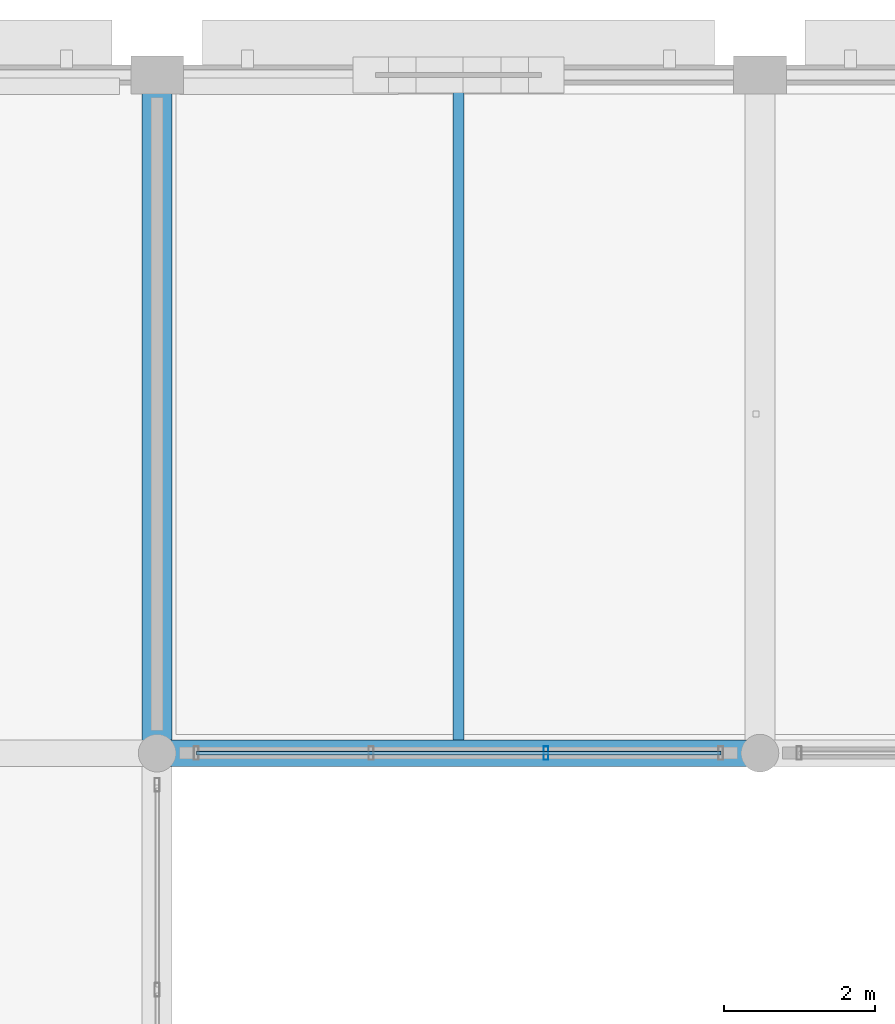
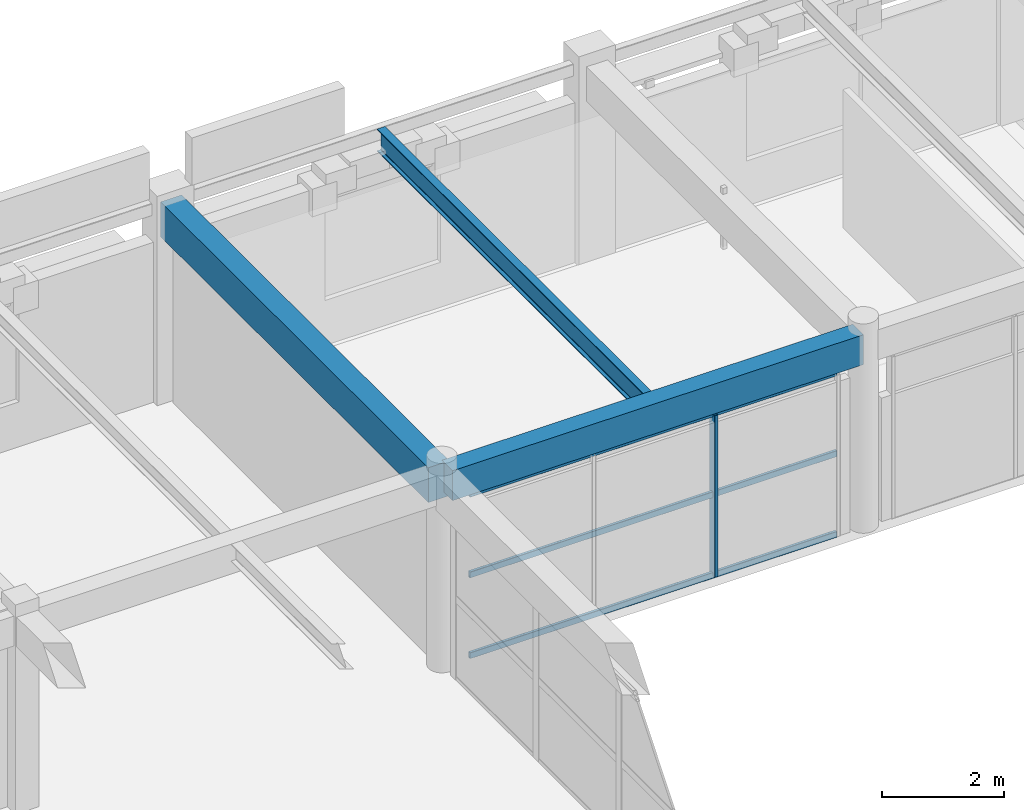
# One storey, part 55 of 126: 4 members, 3 beams, 1 element without a shape of its own.
"""IFC4 building model written with IfcOpenShell, lengths in metres."""

from ifc_helpers import new_model, si_unit, direction, frame, origin, origin_2d, place, context, subcontext, project, spatial, rectangle, hollow_rectangle, i_section, extrude, material, material_profile, profile_set, type_object, element, aggregate, save


model = new_model("IFC4")

# Units and contexts
model_context = context("Model", 3, precision=1e-05, world=origin(), true_north=direction((0.0, 1.0)))
body_context = subcontext(model_context, "Body", "Model", "MODEL_VIEW")
ifc_project = project(units=[si_unit("LENGTHUNIT", "METRE"), si_unit("AREAUNIT", "SQUARE_METRE"), si_unit("VOLUMEUNIT", "CUBIC_METRE"), si_unit("PLANEANGLEUNIT", "RADIAN"), si_unit("MASSUNIT", "GRAM", prefix="KILO")], contexts=[model_context])

# Site, building, storey
site_placement = place(None, origin())
site = spatial("IfcSite", under=ifc_project, at=site_placement, CompositionType="ELEMENT")
building_placement = place(site_placement, origin())
building = spatial("IfcBuilding", under=site, at=building_placement, Name="Varnabhumi Central Station", CompositionType="ELEMENT")
storey_placement = place(building_placement, frame((0.0, 0.0, 16.199951171875)))
storey = spatial("IfcBuildingStorey", under=building, at=storey_placement, Name="L03", CompositionType="ELEMENT", Elevation=16.199951171875)

# Beams
ifc_material_1 = material(Name="Structural steel E350", Category="steel")
ifc_material_profile_1 = material_profile(ifc_material_1, i_section(OverallWidth=0.14990234375, OverallDepth=0.449951171875, WebThickness=0.009521484375, FlangeThickness=0.017333984375, FilletRadius=0.014892578125, at=origin_2d()), Name="Structural steel E350", Category="steel")
ifc_profile_set_1 = profile_set([ifc_material_profile_1], Name="Structural steel E350")
beam_type_1 = type_object("IfcBeamType", Name="BM-JST-ISMB450", PredefinedType="JOIST", material=ifc_profile_set_1)
beam_1_placement = place(storey_placement, frame((52.0, 107.175048828125, 3.72509765625), z_axis=(0.0, 1.0, 0.0), x_axis=(-1.0, 0.0, 0.0)))
element("IfcBeam", 1, at=beam_1_placement, inside=storey, type_object=beam_type_1, Name="Secondary Joist L03-7/8:N-P", PredefinedType="JOIST", context=body_context, shape_type="SweptSolid", body=[
    extrude(i_section(OverallWidth=0.14990234375, OverallDepth=0.449951171875, WebThickness=0.009521484375, FlangeThickness=0.017333984375, FilletRadius=0.014892578125, at=origin_2d()), origin(), (0.0, 0.0, 1.0), 8.75),
])
ifc_material_2 = material(Name="Concrete M40", Category="concrete")
ifc_material_profile_2 = material_profile(ifc_material_2, rectangle(XDim=0.35009765625, YDim=0.60009765625, at=origin_2d()), Name="Concrete M40", Category="concrete")
ifc_profile_set_2 = profile_set([ifc_material_profile_2], Name="Concrete M40")
beam_type_2 = type_object("IfcBeamType", Name="BM-RC-350x600", PredefinedType="BEAM", material=ifc_profile_set_2)
beam_2_placement = place(storey_placement, frame((48.10009765625, 107.0, 3.650146484375), z_axis=(1.0, 0.0, 0.0), x_axis=(0.0, 1.0, 0.0)))
element("IfcBeam", 2, at=beam_2_placement, inside=storey, type_object=beam_type_2, Name="Beam L03-N:7-8", PredefinedType="BEAM", context=body_context, shape_type="SweptSolid", body=[
    extrude(rectangle(XDim=0.35009765625, YDim=0.60009765625, at=origin_2d()), origin(), (0.0, 0.0, 1.0), 7.7998046875),
])
ifc_material_profile_3 = material_profile(ifc_material_2, rectangle(XDim=0.39990234375, YDim=0.699951171875, at=origin_2d()), Name="Concrete M40", Category="concrete")
ifc_profile_set_3 = profile_set([ifc_material_profile_3], Name="Concrete M40")
beam_type_3 = type_object("IfcBeamType", Name="BM-RC-700x400", PredefinedType="BEAM", material=ifc_profile_set_3)
beam_3_placement = place(storey_placement, frame((48.0, 107.10009765625, 3.60009765625), z_axis=(0.0, 1.0, 0.0), x_axis=(-1.0, 0.0, 0.0)))
element("IfcBeam", 3, at=beam_3_placement, inside=storey, type_object=beam_type_3, Name="Beam L03-7:N-P", PredefinedType="BEAM", context=body_context, shape_type="SweptSolid", body=[
    extrude(rectangle(XDim=0.39990234375, YDim=0.699951171875, at=origin_2d()), origin(), (0.0, 0.0, 1.0), 8.7998046875),
])

# Curtain wall, members
ifc_material_3 = material(Name="Anodised aluminium 6063-T6", Category="aluminium")
curtain_wall_type = type_object("IfcCurtainWallType", Name="CW-PATIO-LOGGIA-L3", PredefinedType="NOTDEFINED", material=ifc_material_3)
curtain_wall_placement = place(storey_placement, origin())
curtain_wall = element("IfcCurtainWall", 4, at=curtain_wall_placement, inside=storey, type_object=curtain_wall_type, Name="Curtain Wall CW-NP3N1", PredefinedType="NOTDEFINED")
ifc_material_profile_4 = material_profile(ifc_material_3, hollow_rectangle(XDim=0.06494140625, YDim=0.179931640625, WallThickness=0.00390625, InnerFilletRadius=0.001953125, OuterFilletRadius=0.006103515625, at=origin_2d()), Name="Anodised aluminium 6063-T6", Category="aluminium")
ifc_profile_set_4 = profile_set([ifc_material_profile_4], Name="Anodised aluminium 6063-T6")
member_type_1 = type_object("IfcMemberType", Name="CW-MUL-180", PredefinedType="MULLION", material=ifc_profile_set_4)
member_1_placement = place(storey_placement, frame((53.159912109375, 107.0, 0.0), z_axis=(0.0, 0.0, 1.0), x_axis=(1.0, 0.0, 0.0)))
member_1 = element("IfcMember", 5, at=member_1_placement, type_object=member_type_1, Name="Curtain Wall Mullion CW-NP3N1-M3", PredefinedType="MULLION", context=body_context, shape_type="SweptSolid", body=[
    extrude(hollow_rectangle(XDim=0.06494140625, YDim=0.179931640625, WallThickness=0.00390625, InnerFilletRadius=0.001953125, OuterFilletRadius=0.006103515625, at=origin_2d()), origin(), (0.0, 0.0, 1.0), 3.239990234375),
])
ifc_material_profile_5 = material_profile(ifc_material_3, hollow_rectangle(XDim=0.054931640625, YDim=0.1201171875, WallThickness=0.00341796875, InnerFilletRadius=0.00146484375, OuterFilletRadius=0.0048828125, at=origin_2d()), Name="Anodised aluminium 6063-T6", Category="aluminium")
ifc_profile_set_5 = profile_set([ifc_material_profile_5], Name="Anodised aluminium 6063-T6")
member_type_2 = type_object("IfcMemberType", Name="CW-TR-120", PredefinedType="USERDEFINED", material=ifc_profile_set_5)
member_2_placement = place(storey_placement, frame((48.52001953125, 107.0, 0.0), z_axis=(1.0, 0.0, 0.0), x_axis=(0.0, 1.0, 0.0)))
member_2 = element("IfcMember", 6, at=member_2_placement, type_object=member_type_2, Name="Curtain Wall Transom CW-NP3N1-T1", ObjectType="TRANSOM", PredefinedType="USERDEFINED", context=body_context, shape_type="SweptSolid", body=[
    extrude(hollow_rectangle(XDim=0.054931640625, YDim=0.1201171875, WallThickness=0.00341796875, InnerFilletRadius=0.00146484375, OuterFilletRadius=0.0048828125, at=origin_2d()), origin(), (0.0, 0.0, 1.0), 6.9599609375),
])
member_3_placement = place(storey_placement, frame((48.52001953125, 107.0, 1.6201171875), z_axis=(1.0, 0.0, 0.0), x_axis=(0.0, 1.0, 0.0)))
member_3 = element("IfcMember", 7, at=member_3_placement, type_object=member_type_2, Name="Curtain Wall Transom CW-NP3N1-T2", ObjectType="TRANSOM", PredefinedType="USERDEFINED", context=body_context, shape_type="SweptSolid", body=[
    extrude(hollow_rectangle(XDim=0.054931640625, YDim=0.1201171875, WallThickness=0.00341796875, InnerFilletRadius=0.00146484375, OuterFilletRadius=0.0048828125, at=origin_2d()), origin(), (0.0, 0.0, 1.0), 6.9599609375),
])
member_4_placement = place(storey_placement, frame((48.52001953125, 107.0, 3.239990234375), z_axis=(1.0, 0.0, 0.0), x_axis=(0.0, 1.0, 0.0)))
member_4 = element("IfcMember", 8, at=member_4_placement, type_object=member_type_2, Name="Curtain Wall Transom CW-NP3N1-T3", ObjectType="TRANSOM", PredefinedType="USERDEFINED", context=body_context, shape_type="SweptSolid", body=[
    extrude(hollow_rectangle(XDim=0.054931640625, YDim=0.1201171875, WallThickness=0.00341796875, InnerFilletRadius=0.00146484375, OuterFilletRadius=0.0048828125, at=origin_2d()), origin(), (0.0, 0.0, 1.0), 6.9599609375),
])
aggregate(curtain_wall, [member_1, member_2, member_3, member_4])

save(model, "model.ifc")
